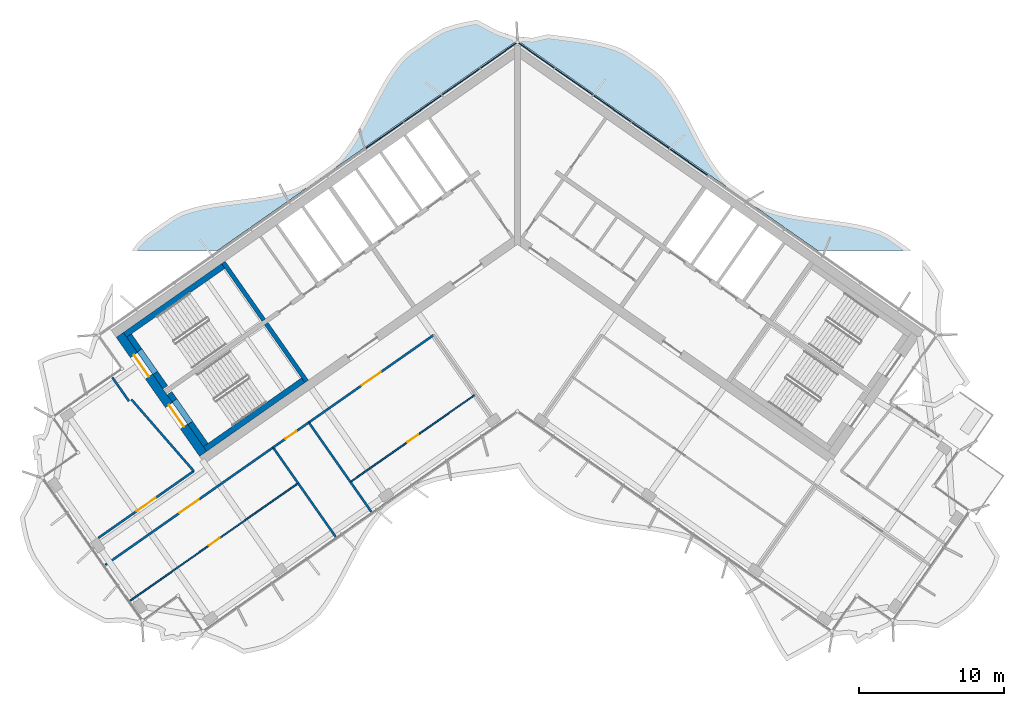
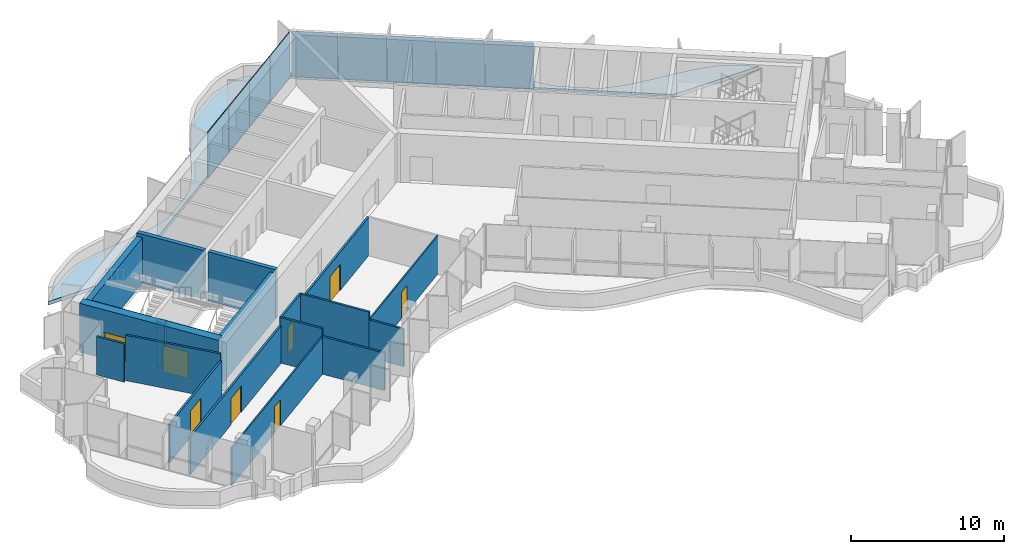
# One storey, part 10 of 20: 23 walls, 9 plates, 8 doors, 1 slab, 8 openings, 1 element without a shape of its own.
"""IFC4 building model written with IfcOpenShell, lengths in metres."""

from ifc_helpers import new_model, si_unit, direction, frame, frame_2d, origin, origin_2d, place, context, subcontext, project, spatial, polyline, rectangle, outline, extrude, material, layer, layer_set, type_object, element, fill, aggregate, save


model = new_model("IFC4")

# Units and contexts
model_context = context("Model", 3, precision=1e-05, world=origin(), true_north=direction((0.0, 1.0)))
body_context = subcontext(model_context, "Body", "Model", "MODEL_VIEW")
ifc_project = project(units=[si_unit("LENGTHUNIT", "METRE"), si_unit("AREAUNIT", "SQUARE_METRE"), si_unit("VOLUMEUNIT", "CUBIC_METRE"), si_unit("PLANEANGLEUNIT", "RADIAN"), si_unit("MASSUNIT", "GRAM", prefix="KILO")], contexts=[model_context])

# Site, building, storey
site_placement = place(None, origin())
site = spatial("IfcSite", under=ifc_project, at=site_placement, CompositionType="ELEMENT")
building_placement = place(site_placement, origin())
building = spatial("IfcBuilding", under=site, at=building_placement, Name="Tel Ilan Convention Tower", CompositionType="ELEMENT")
storey_placement = place(building_placement, frame((0.0, 0.0, 248.800048828125)))
storey = spatial("IfcBuildingStorey", under=building, at=storey_placement, Name="L58", CompositionType="ELEMENT", Elevation=248.800048828125)

# Curtain wall, plates
ifc_material_1 = material(Name="Aluminium, bronze anodised", Category="aluminium")
curtain_wall_type = type_object("IfcCurtainWallType", Name="CW2 STICK CURTAIN WALL, SPANDREL PANELS", PredefinedType="NOTDEFINED", material=ifc_material_1)
curtain_wall_placement = place(storey_placement, origin())
curtain_wall = element("IfcCurtainWall", 1, at=curtain_wall_placement, inside=storey, type_object=curtain_wall_type, Name="Curtain wall CW2-45.02", PredefinedType="NOTDEFINED")
ifc_material_2 = material(Name="Aluminium composite panel, bronze anodised", Category="aluminium")
ifc_layer_1 = layer(ifc_material_2, 0.06005859375)
ifc_layer_set_1 = layer_set([ifc_layer_1], Name="CW SPANDREL PANEL 60")
plate_type = type_object("IfcPlateType", Name="CW SPANDREL PANEL 60", PredefinedType="CURTAIN_PANEL", material=ifc_layer_set_1)
plate_1_placement = place(storey_placement, frame((11.789306640625, 4.44091796875, 0.0), z_axis=(0.0, 0.0, 1.0), x_axis=(-0.819152044289, 0.573576436351, 0.0)))
plate_1 = element("IfcPlate", 2, at=plate_1_placement, type_object=plate_type, Name="Spandrel panel", PredefinedType="CURTAIN_PANEL", context=body_context, shape_type="SweptSolid", body=[
    extrude(rectangle(XDim=3.15380859375, YDim=0.06005859375, at=origin_2d()), origin(), (0.0, 0.0, 1.0), 3.6201171875),
])
plate_2_placement = place(storey_placement, frame((9.15673828125, 6.284423828125, 0.0), z_axis=(0.0, 0.0, 1.0), x_axis=(-0.819152044289, 0.573576436351, 0.0)))
plate_2 = element("IfcPlate", 3, at=plate_2_placement, type_object=plate_type, Name="Spandrel panel", PredefinedType="CURTAIN_PANEL", context=body_context, shape_type="SweptSolid", body=[
    extrude(rectangle(XDim=3.15380859375, YDim=0.06005859375, at=origin_2d()), origin(), (0.0, 0.0, 1.0), 3.6201171875),
])
plate_3_placement = place(storey_placement, frame((6.524169921875, 8.127685546875, 0.0), z_axis=(0.0, 0.0, 1.0), x_axis=(-0.819152044289, 0.573576436351, 0.0)))
plate_3 = element("IfcPlate", 4, at=plate_3_placement, type_object=plate_type, Name="Spandrel panel", PredefinedType="CURTAIN_PANEL", context=body_context, shape_type="SweptSolid", body=[
    extrude(rectangle(XDim=3.15380859375, YDim=0.06005859375, at=origin_2d()), origin(), (0.0, 0.0, 1.0), 3.6201171875),
])
plate_4_placement = place(storey_placement, frame((3.8916015625, 9.97119140625, 0.0), z_axis=(0.0, 0.0, 1.0), x_axis=(-0.819152044289, 0.573576436351, 0.0)))
plate_4 = element("IfcPlate", 5, at=plate_4_placement, type_object=plate_type, Name="Spandrel panel", PredefinedType="CURTAIN_PANEL", context=body_context, shape_type="SweptSolid", body=[
    extrude(rectangle(XDim=3.15380859375, YDim=0.06005859375, at=origin_2d()), origin(), (0.0, 0.0, 1.0), 3.6201171875),
])
plate_5_placement = place(storey_placement, frame((1.303955078125, 11.782958984375, 0.0), z_axis=(0.0, 0.0, 1.0), x_axis=(-0.819152044289, 0.573576436351, 0.0)))
plate_5 = element("IfcPlate", 6, at=plate_5_placement, type_object=plate_type, Name="Spandrel panel", PredefinedType="CURTAIN_PANEL", context=body_context, shape_type="SweptSolid", body=[
    extrude(rectangle(XDim=3.0439453125, YDim=0.06005859375, at=origin_2d()), origin(), (0.0, 0.0, 1.0), 3.6201171875),
])
plate_6_placement = place(storey_placement, frame((-1.303955078125, 11.782958984375, 0.0), z_axis=(0.0, 0.0, 1.0), x_axis=(-0.819152044289, -0.573576436351, 0.0)))
plate_6 = element("IfcPlate", 7, at=plate_6_placement, type_object=plate_type, Name="Spandrel panel", PredefinedType="CURTAIN_PANEL", context=body_context, shape_type="SweptSolid", body=[
    extrude(rectangle(XDim=3.0439453125, YDim=0.06005859375, at=origin_2d()), origin(), (0.0, 0.0, 1.0), 3.6201171875),
])
plate_7_placement = place(storey_placement, frame((-3.8916015625, 9.97119140625, 0.0), z_axis=(0.0, 0.0, 1.0), x_axis=(-0.819152044289, -0.573576436351, 0.0)))
plate_7 = element("IfcPlate", 8, at=plate_7_placement, type_object=plate_type, Name="Spandrel panel", PredefinedType="CURTAIN_PANEL", context=body_context, shape_type="SweptSolid", body=[
    extrude(rectangle(XDim=3.15380859375, YDim=0.06005859375, at=origin_2d()), origin(), (0.0, 0.0, 1.0), 3.6201171875),
])
plate_8_placement = place(storey_placement, frame((-6.524169921875, 8.127685546875, 0.0), z_axis=(0.0, 0.0, 1.0), x_axis=(-0.819152044289, -0.573576436351, 0.0)))
plate_8 = element("IfcPlate", 9, at=plate_8_placement, type_object=plate_type, Name="Spandrel panel", PredefinedType="CURTAIN_PANEL", context=body_context, shape_type="SweptSolid", body=[
    extrude(rectangle(XDim=3.15380859375, YDim=0.06005859375, at=origin_2d()), origin(), (0.0, 0.0, 1.0), 3.6201171875),
])
plate_9_placement = place(storey_placement, frame((-9.15673828125, 6.284423828125, 0.0), z_axis=(0.0, 0.0, 1.0), x_axis=(-0.819152044289, -0.573576436351, 0.0)))
plate_9 = element("IfcPlate", 10, at=plate_9_placement, type_object=plate_type, Name="Spandrel panel", PredefinedType="CURTAIN_PANEL", context=body_context, shape_type="SweptSolid", body=[
    extrude(rectangle(XDim=3.15380859375, YDim=0.06005859375, at=origin_2d()), origin(), (0.0, 0.0, 1.0), 3.6201171875),
])
aggregate(curtain_wall, [plate_1, plate_2, plate_3, plate_4, plate_5, plate_6, plate_7, plate_8, plate_9])

# Slab
ifc_material_3 = material(Name="Concrete C40/50", Category="concrete")
ifc_layer_2 = layer(ifc_material_3, 0.280029296875)
ifc_layer_set_2 = layer_set([ifc_layer_2], Name="Edge Ledge Slab 280 mm C40/50")
slab_type = type_object("IfcSlabType", Name="Edge Ledge Slab 280 mm C40/50", PredefinedType="FLOOR", material=ifc_layer_set_2)
slab_placement = place(storey_placement, frame((0.0, 0.0, -0.280029296875)))
element("IfcSlab", 11, at=slab_placement, inside=storey, type_object=slab_type, Name="L58 edge ledge 2", PredefinedType="FLOOR", context=body_context, shape_type="SweptSolid", body=[
    extrude(outline(polyline([(-20.91259765625, 1.594482421875), (-20.099365234375, 1.71728515625), (-19.275146484375, 1.824462890625), (-18.44970703125, 1.9296875), (-17.6328125, 2.047119140625), (-16.833984375, 2.18994140625), (-16.0615234375, 2.37109375), (-15.3232421875, 2.6005859375), (-14.651611328125, 2.92529296875), (-12.841552734375, 4.192626953125), (-12.284912109375, 4.681640625), (-11.809326171875, 5.28662109375), (-11.369140625, 5.94189453125), (-10.956787109375, 6.63720703125), (-10.564453125, 7.36083984375), (-10.182373046875, 8.09912109375), (-9.80078125, 8.83837890625), (-9.410400390625, 9.564697265625), (-9.001220703125, 10.264404296875), (-8.56494140625, 10.925537109375), (-8.094482421875, 11.53759765625), (-7.552001953125, 12.047119140625), (-5.7421875, 13.314208984375), (-5.0849609375, 13.66015625), (-4.3515625, 13.896484375), (-3.5830078125, 14.083251953125), (-2.785888671875, 14.228515625), (-1.357666015625, 13.472900390625), (-0.172119140625, 13.06396484375), (-0.168701171875, 13.05908203125), (-0.11474609375, 13.09521484375), (0.0, 13.1181640625), (0.11474609375, 13.09521484375), (0.168701171875, 13.05908203125), (0.172119140625, 13.06396484375), (1.02001953125, 12.99072265625), (2.08935546875, 13.234130859375), (2.913818359375, 13.12744140625), (3.739501953125, 13.0224609375), (4.55712890625, 12.90625), (5.357666015625, 12.765380859375), (6.132080078125, 12.587158203125), (6.872802734375, 12.361083984375), (7.552001953125, 12.047119140625), (9.36181640625, 10.77978515625), (9.925537109375, 10.300537109375), (10.403564453125, 9.69921875), (10.845947265625, 9.046875), (11.259521484375, 8.353515625), (11.653076171875, 7.631591796875), (12.035400390625, 6.893798828125), (12.416748046875, 6.154052734375), (12.806396484375, 5.426513671875), (13.214111328125, 4.724609375), (13.648193359375, 4.060791015625), (14.116455078125, 3.4453125), (14.651611328125, 2.92529296875), (16.46142578125, 1.657958984375), (17.111328125, 1.30224609375), (17.84228515625, 1.062255859375), (18.60888671875, 0.87255859375), (19.4033203125, 0.72314453125), (20.21728515625, 0.601806640625), (21.0419921875, 0.495361328125), (21.8671875, 0.3896484375), (22.68310546875, 0.27099609375), (23.480712890625, 0.1259765625), (24.2509765625, -0.057861328125), (24.987060546875, -0.290771484375), (25.6513671875, -0.626220703125), (27.087158203125, -1.631591796875), (20.63623046875, -1.631591796875), (0.0, 12.818115234375), (-20.63623046875, -1.631591796875), (-26.535888671875, -1.631591796875), (-26.1787109375, -1.156982421875), (-25.6513671875, -0.626220703125), (-23.84130859375, 0.64111328125), (-23.1982421875, 1.006591796875), (-22.4697265625, 1.250244140625), (-21.705322265625, 1.44287109375), (-20.91259765625, 1.594482421875)])), origin(), (0.0, 0.0, 1.0), 0.280029296875),
])

# Walls
ifc_material_4 = material(Name="Concrete C40/50", Category="concrete")
ifc_layer_3 = layer(ifc_material_4, 0.300048828125)
ifc_layer_set_3 = layer_set([ifc_layer_3], Name="Core Shear Wall 300 mm C40/50")
wall_type_1 = type_object("IfcWallType", Name="Core Shear Wall 300 mm C40/50", PredefinedType="SHEAR", material=ifc_layer_set_3)
wall_1_placement = place(storey_placement, frame((-14.515380859375, -10.652099609375, 0.0), z_axis=(0.0, 0.0, 1.0), x_axis=(-0.573560315113, 0.819163332265, 0.0)))
element("IfcWall", 12, at=wall_1_placement, inside=storey, type_object=wall_type_1, Name="L58 core wall W-cross2-1", PredefinedType="SHEAR", context=body_context, shape_type="SweptSolid", body=[
    extrude(outline(polyline([(4.85009765625, 0.14990234375), (0.0, 0.14990234375), (0.0, -0.150146484375), (4.85009765625, -0.14990234375), (4.85009765625, 0.14990234375)])), origin(), (0.0, 0.0, 1.0), 3.89990234375),
])
wall_2_placement = place(storey_placement, frame((-17.46923828125, -6.433349609375, 0.0), z_axis=(0.0, 0.0, 1.0), x_axis=(-0.573594092424, 0.81913968109, 0.0)))
element("IfcWall", 13, at=wall_2_placement, inside=storey, type_object=wall_type_1, Name="L58 core wall W-cross2-2", PredefinedType="SHEAR", context=body_context, shape_type="SweptSolid", body=[
    extrude(outline(polyline([(4.849853515625, -0.150146484375), (4.849853515625, 0.14990234375), (0.0, 0.14990234375), (0.0, -0.14990234375), (4.849853515625, -0.150146484375)])), origin(), (0.0, 0.0, 1.0), 3.89990234375),
])

# Wall, openings, doors
ifc_material_5 = material(Name="Concrete C40/50", Category="concrete")
ifc_layer_4 = layer(ifc_material_5, 0.60009765625)
ifc_layer_set_4 = layer_set([ifc_layer_4], Name="Core Shear Wall 600 mm C40/50")
wall_type_2 = type_object("IfcWallType", Name="Core Shear Wall 600 mm C40/50", PredefinedType="SHEAR", material=ifc_layer_set_4)
wall_3_placement = place(storey_placement, frame((-21.641845703125, -15.64208984375, 0.0), z_axis=(0.0, 0.0, 1.0), x_axis=(-0.573586866468, 0.819144740944, 0.0)))
wall_3 = element("IfcWall", 14, at=wall_3_placement, inside=storey, type_object=wall_type_2, Name="L58 core wall W-end", PredefinedType="SHEAR", context=body_context, shape_type="SweptSolid", body=[
    extrude(outline(polyline([(0.0, 0.300048828125), (0.0, -0.2998046875), (10.0, -0.300048828125), (10.0, 0.300048828125), (0.0, 0.300048828125)])), origin(), (0.0, 0.0, 1.0), 3.89990234375),
])
opening_1_placement = place(wall_3_placement, frame((6.5, 0.0, 0.0)))
opening_1 = element("IfcOpeningElement", 15, at=opening_1_placement, cuts=wall_3, Name="Opening SD4501", PredefinedType="OPENING", context=body_context, shape_type="SweptSolid", body=[
    extrude(rectangle(XDim=1.800048828125, YDim=2.10009765625, at=frame_2d((0.89990234375, 1.050048828125))), frame((0.0, 0.31005859375, 0.0), z_axis=(0.0, -1.0, 0.0), x_axis=(1.0, 0.0, 0.0)), (0.0, 0.0, 1.0), 0.6201171875),
])
opening_2_placement = place(wall_3_placement, frame((2.300048828125, 0.0, 0.0)))
opening_2 = element("IfcOpeningElement", 16, at=opening_2_placement, cuts=wall_3, Name="Opening SD4502", PredefinedType="OPENING", context=body_context, shape_type="SweptSolid", body=[
    extrude(rectangle(XDim=1.800048828125, YDim=2.10009765625, at=frame_2d((0.89990234375, 1.050048828125))), frame((0.0, 0.31005859375, 0.0), z_axis=(0.0, -1.0, 0.0), x_axis=(1.0, 0.0, 0.0)), (0.0, 0.0, 1.0), 0.6201171875),
])
ifc_material_6 = material(Name="Galvanised Steel Door Leaf", Category="steel")
door_type_1 = type_object("IfcDoorType", Name="Stair Fire Door 1800 x 2100 FD60S", OperationType="NOTDEFINED", PredefinedType="DOOR", material=ifc_material_6)
door_1_placement = place(opening_1_placement, origin())
door_1 = element("IfcDoor", 17, at=door_1_placement, inside=storey, type_object=door_type_1, Name="Stair S1 door", OperationType="DOUBLE_DOOR_SINGLE_SWING", OverallHeight=2.10009765625, OverallWidth=1.800048828125, PredefinedType="DOOR", context=body_context, shape_type="SweptSolid", body=[
    extrude(rectangle(XDim=1.800048828125, YDim=2.10009765625, at=frame_2d((0.89990234375, 1.050048828125))), frame((0.0, 0.02490234375, 0.0), z_axis=(0.0, -1.0, 0.0), x_axis=(1.0, 0.0, 0.0)), (0.0, 0.0, 1.0), 0.050048828125),
])
fill(opening_1, door_1)
door_2_placement = place(opening_2_placement, origin())
door_2 = element("IfcDoor", 18, at=door_2_placement, inside=storey, type_object=door_type_1, Name="Stair S2 door", OperationType="DOUBLE_DOOR_SINGLE_SWING", OverallHeight=2.10009765625, OverallWidth=1.800048828125, PredefinedType="DOOR", context=body_context, shape_type="SweptSolid", body=[
    extrude(rectangle(XDim=1.800048828125, YDim=2.10009765625, at=frame_2d((0.89990234375, 1.050048828125))), frame((0.0, 0.02490234375, 0.0), z_axis=(0.0, -1.0, 0.0), x_axis=(1.0, 0.0, 0.0)), (0.0, 0.0, 1.0), 0.050048828125),
])
fill(opening_2, door_2)

# Wall, opening, door
ifc_material_7 = material(Name="Plasterboard on Steel Studs", Category="steel")
ifc_layer_5 = layer(ifc_material_7, 0.14990234375)
ifc_layer_set_5 = layer_set([ifc_layer_5], Name="Fire-rated Partition 150 EI 60")
wall_type_3 = type_object("IfcWallType", Name="Fire-rated Partition 150 EI 60", PredefinedType="PARTITIONING", material=ifc_layer_set_5)
wall_4_placement = place(storey_placement, frame((-28.858154296875, -21.428466796875, 0.0), z_axis=(0.0, 0.0, 1.0), x_axis=(0.819137602434, 0.573597060905, 0.0)))
wall_4 = element("IfcWall", 19, at=wall_4_placement, inside=storey, type_object=wall_type_3, Name="Partition 005", PredefinedType="PARTITIONING", context=body_context, shape_type="SweptSolid", body=[
    extrude(rectangle(XDim=8.02685546875, YDim=0.14990234375, at=frame_2d((4.013427734375, 0.0))), origin(), (0.0, 0.0, 1.0), 3.050048828125),
])
opening_3_placement = place(wall_4_placement, frame((3.21337890625, 0.0, 0.0)))
opening_3 = element("IfcOpeningElement", 20, at=opening_3_placement, cuts=wall_4, Name="Opening L58-006", PredefinedType="OPENING", context=body_context, shape_type="SweptSolid", body=[
    extrude(rectangle(XDim=1.60009765625, YDim=2.10009765625, at=frame_2d((0.800048828125, 1.050048828125))), frame((0.0, 0.0849609375, 0.0), z_axis=(0.0, -1.0, 0.0), x_axis=(1.0, 0.0, 0.0)), (0.0, 0.0, 1.0), 0.169921875),
])
ifc_material_8 = material(Name="Timber Door Leaf in Steel Frame", Category="steel")
door_type_2 = type_object("IfcDoorType", Name="Tenant Suite Entrance Fire Door 1600x2100", OperationType="NOTDEFINED", PredefinedType="DOOR", material=ifc_material_8)
door_3_placement = place(opening_3_placement, origin())
door_3 = element("IfcDoor", 21, at=door_3_placement, inside=storey, type_object=door_type_2, Name="Door L58-006", OperationType="DOUBLE_DOOR_SINGLE_SWING", OverallHeight=2.10009765625, OverallWidth=1.60009765625, PredefinedType="DOOR", context=body_context, shape_type="SweptSolid", body=[
    extrude(rectangle(XDim=1.60009765625, YDim=2.10009765625, at=frame_2d((0.800048828125, 1.050048828125))), frame((0.0, 0.02490234375, 0.0), z_axis=(0.0, -1.0, 0.0), x_axis=(1.0, 0.0, 0.0)), (0.0, 0.0, 1.0), 0.050048828125),
])
fill(opening_3, door_3)

wall_5_placement = place(storey_placement, frame((-5.766357421875, -7.455810546875, 0.0), z_axis=(0.0, 0.0, 1.0), x_axis=(-0.819154371039, -0.573573113393, 0.0)))
wall_5 = element("IfcWall", 22, at=wall_5_placement, inside=storey, type_object=wall_type_3, Name="Partition 006", PredefinedType="PARTITIONING", context=body_context, shape_type="SweptSolid", body=[
    extrude(rectangle(XDim=10.501953125, YDim=0.14990234375, at=frame_2d((5.2509765625, 0.0))), origin(), (0.0, 0.0, 1.0), 3.050048828125),
])
opening_4_placement = place(wall_5_placement, frame((4.450927734375, 0.0, 0.0)))
opening_4 = element("IfcOpeningElement", 23, at=opening_4_placement, cuts=wall_5, Name="Opening L58-001", PredefinedType="OPENING", context=body_context, shape_type="SweptSolid", body=[
    extrude(rectangle(XDim=1.60009765625, YDim=2.10009765625, at=frame_2d((0.800048828125, 1.050048828125))), frame((0.0, 0.0849609375, 0.0), z_axis=(0.0, -1.0, 0.0), x_axis=(1.0, 0.0, 0.0)), (0.0, 0.0, 1.0), 0.169921875),
])
door_4_placement = place(opening_4_placement, origin())
door_4 = element("IfcDoor", 24, at=door_4_placement, inside=storey, type_object=door_type_2, Name="Door L58-001", OperationType="DOUBLE_DOOR_SINGLE_SWING", OverallHeight=2.10009765625, OverallWidth=1.60009765625, PredefinedType="DOOR", context=body_context, shape_type="SweptSolid", body=[
    extrude(rectangle(XDim=1.60009765625, YDim=2.10009765625, at=frame_2d((0.800048828125, 1.050048828125))), frame((0.0, 0.02490234375, 0.0), z_axis=(0.0, -1.0, 0.0), x_axis=(1.0, 0.0, 0.0)), (0.0, 0.0, 1.0), 0.050048828125),
])
fill(opening_4, door_4)

wall_6_placement = place(storey_placement, frame((-14.36572265625, -13.477294921875, 0.0), z_axis=(0.0, 0.0, 1.0), x_axis=(-0.819193738533, -0.573516886193, 0.0)))
wall_6 = element("IfcWall", 25, at=wall_6_placement, inside=storey, type_object=wall_type_3, Name="Partition 007", PredefinedType="PARTITIONING", context=body_context, shape_type="SweptSolid", body=[
    extrude(rectangle(XDim=3.004150390625, YDim=0.14990234375, at=frame_2d((1.501953125, 0.0))), origin(), (0.0, 0.0, 1.0), 3.619873046875),
])
opening_5_placement = place(wall_6_placement, frame((1.052001953125, 0.0, 0.0)))
opening_5 = element("IfcOpeningElement", 26, at=opening_5_placement, cuts=wall_6, Name="Opening L58-003", PredefinedType="OPENING", context=body_context, shape_type="SweptSolid", body=[
    extrude(rectangle(XDim=0.89990234375, YDim=2.10009765625, at=frame_2d((0.449951171875, 1.050048828125))), frame((0.0, 0.0849609375, 0.0), z_axis=(0.0, -1.0, 0.0), x_axis=(1.0, 0.0, 0.0)), (0.0, 0.0, 1.0), 0.169921875),
])
ifc_material_9 = material(Name="Timber Door Leaf in Steel Frame", Category="steel")
door_type_3 = type_object("IfcDoorType", Name="Room Fire Door 900x2100", OperationType="NOTDEFINED", PredefinedType="DOOR", material=ifc_material_9)
door_5_placement = place(opening_5_placement, origin())
door_5 = element("IfcDoor", 27, at=door_5_placement, inside=storey, type_object=door_type_3, Name="Door L58-003", OperationType="SINGLE_SWING_RIGHT", OverallHeight=2.10009765625, OverallWidth=0.89990234375, PredefinedType="DOOR", context=body_context, shape_type="SweptSolid", body=[
    extrude(rectangle(XDim=0.89990234375, YDim=2.10009765625, at=frame_2d((0.449951171875, 1.050048828125))), frame((0.0, 0.02490234375, 0.0), z_axis=(0.0, -1.0, 0.0), x_axis=(1.0, 0.0, 0.0)), (0.0, 0.0, 1.0), 0.050048828125),
])
fill(opening_5, door_5)

wall_7_placement = place(storey_placement, frame((-16.8232421875, -15.197998046875, 0.0), z_axis=(0.0, 0.0, 1.0), x_axis=(-0.819152205979, -0.573576205434, 0.0)))
wall_7 = element("IfcWall", 28, at=wall_7_placement, inside=storey, type_object=wall_type_3, Name="Partition 008", PredefinedType="PARTITIONING", context=body_context, shape_type="SweptSolid", body=[
    extrude(rectangle(XDim=14.10205078125, YDim=0.14990234375, at=frame_2d((7.051025390625, 0.0))), origin(), (0.0, 0.0, 1.0), 3.0),
])
opening_6_placement = place(wall_7_placement, frame((6.2509765625, 0.0, 0.0)))
opening_6 = element("IfcOpeningElement", 29, at=opening_6_placement, cuts=wall_7, Name="Opening L58-004", PredefinedType="OPENING", context=body_context, shape_type="SweptSolid", body=[
    extrude(rectangle(XDim=1.60009765625, YDim=2.10009765625, at=frame_2d((0.800048828125, 1.050048828125))), frame((0.0, 0.0849609375, 0.0), z_axis=(0.0, -1.0, 0.0), x_axis=(1.0, 0.0, 0.0)), (0.0, 0.0, 1.0), 0.169921875),
])
door_6_placement = place(opening_6_placement, origin())
door_6 = element("IfcDoor", 30, at=door_6_placement, inside=storey, type_object=door_type_2, Name="Door L58-004", OperationType="DOUBLE_DOOR_SINGLE_SWING", OverallHeight=2.10009765625, OverallWidth=1.60009765625, PredefinedType="DOOR", context=body_context, shape_type="SweptSolid", body=[
    extrude(rectangle(XDim=1.60009765625, YDim=2.10009765625, at=frame_2d((0.800048828125, 1.050048828125))), frame((0.0, 0.02490234375, 0.0), z_axis=(0.0, -1.0, 0.0), x_axis=(1.0, 0.0, 0.0)), (0.0, 0.0, 1.0), 0.050048828125),
])
fill(opening_6, door_6)

# Walls
wall_8_placement = place(storey_placement, frame((-26.74609375, -12.013671875, 0.0), z_axis=(0.0, 0.0, 1.0), x_axis=(-0.573568836472, 0.819157365729, 0.0)))
element("IfcWall", 31, at=wall_8_placement, inside=storey, type_object=wall_type_3, Name="Partition 018", PredefinedType="PARTITIONING", context=body_context, shape_type="SweptSolid", body=[
    extrude(rectangle(XDim=2.000244140625, YDim=0.14990234375, at=frame_2d((1.0, 0.0))), origin(), (0.0, 0.0, 1.0), 3.050048828125),
])
wall_9_placement = place(storey_placement, frame((-22.28369140625, -16.826416015625, 0.0), z_axis=(0.0, 0.0, 1.0), x_axis=(-0.656758142177, 0.754101281449, 0.0)))
element("IfcWall", 32, at=wall_9_placement, inside=storey, type_object=wall_type_3, Name="Partition 019", PredefinedType="PARTITIONING", context=body_context, shape_type="SweptSolid", body=[
    extrude(rectangle(XDim=6.53857421875, YDim=0.14990234375, at=frame_2d((3.269287109375, 0.0))), origin(), (0.0, 0.0, 1.0), 3.619873046875),
])
wall_10_placement = place(storey_placement, frame((-10.065673828125, -19.6220703125, 0.0), z_axis=(0.0, 0.0, 1.0), x_axis=(-0.573560689761, 0.819163069945, 0.0)))
element("IfcWall", 33, at=wall_10_placement, inside=storey, type_object=wall_type_3, Name="Partition 021", PredefinedType="PARTITIONING", context=body_context, shape_type="SweptSolid", body=[
    extrude(rectangle(XDim=2.4990234375, YDim=0.14990234375, at=frame_2d((1.24951171875, 0.0))), origin(), (0.0, 0.0, 1.0), 3.0),
])
wall_11_placement = place(storey_placement, frame((-11.49951171875, -17.57421875, 0.0), z_axis=(0.0, 0.0, 1.0), x_axis=(-0.573586866468, 0.819144740944, 0.0)))
element("IfcWall", 34, at=wall_11_placement, inside=storey, type_object=wall_type_3, Name="Partition 022", PredefinedType="PARTITIONING", context=body_context, shape_type="SweptSolid", body=[
    extrude(rectangle(XDim=5.0, YDim=0.14990234375, at=frame_2d((2.5, 0.0))), origin(), (0.0, 0.0, 1.0), 3.619873046875),
])
wall_12_placement = place(storey_placement, frame((-12.523193359375, -21.3427734375, 0.0), z_axis=(0.0, 0.0, 1.0), x_axis=(-0.573556991349, 0.819165659482, 0.0)))
element("IfcWall", 35, at=wall_12_placement, inside=storey, type_object=wall_type_3, Name="Partition 023", PredefinedType="PARTITIONING", context=body_context, shape_type="SweptSolid", body=[
    extrude(rectangle(XDim=4.5009765625, YDim=0.14990234375, at=frame_2d((2.25048828125, 0.0))), origin(), (0.0, 0.0, 1.0), 3.0),
])
wall_13_placement = place(storey_placement, frame((-15.10302734375, -17.658203125, 0.0), z_axis=(0.0, 0.0, 1.0), x_axis=(-0.573604249862, 0.819132568355, 0.0)))
element("IfcWall", 36, at=wall_13_placement, inside=storey, type_object=wall_type_3, Name="Partition 024", PredefinedType="PARTITIONING", context=body_context, shape_type="SweptSolid", body=[
    extrude(rectangle(XDim=3.001953125, YDim=0.14990234375, at=frame_2d((1.5009765625, 0.0))), origin(), (0.0, 0.0, 1.0), 3.619873046875),
])

# Wall, opening, door
ifc_material_10 = material(Name="Plasterboard on Steel Studs", Category="steel")
ifc_layer_6 = layer(ifc_material_10, 0.10009765625)
ifc_layer_set_6 = layer_set([ifc_layer_6], Name="Plasterboard Partition 100")
wall_type_4 = type_object("IfcWallType", Name="Plasterboard Partition 100", PredefinedType="PARTITIONING", material=ifc_layer_set_6)
wall_14_placement = place(storey_placement, frame((-2.89794921875, -11.552490234375, 0.0), z_axis=(0.0, 0.0, 1.0), x_axis=(-0.819155448096, -0.573571575181, 0.0)))
wall_14 = element("IfcWall", 37, at=wall_14_placement, inside=storey, type_object=wall_type_4, Name="Partition 020", PredefinedType="PARTITIONING", context=body_context, shape_type="SweptSolid", body=[
    extrude(rectangle(XDim=10.5, YDim=0.10009765625, at=frame_2d((5.25, 0.0))), origin(), (0.0, 0.0, 1.0), 3.050048828125),
])
opening_7_placement = place(wall_14_placement, frame((4.800048828125, 0.0, 0.0)))
opening_7 = element("IfcOpeningElement", 38, at=opening_7_placement, cuts=wall_14, Name="Opening L58-002", PredefinedType="OPENING", context=body_context, shape_type="SweptSolid", body=[
    extrude(rectangle(XDim=0.89990234375, YDim=2.10009765625, at=frame_2d((0.449951171875, 1.050048828125))), frame((0.0, 0.06005859375, 0.0), z_axis=(0.0, -1.0, 0.0), x_axis=(1.0, 0.0, 0.0)), (0.0, 0.0, 1.0), 0.1201171875),
])
ifc_material_11 = material(Name="Timber Door Leaf in Steel Frame", Category="steel")
door_type_4 = type_object("IfcDoorType", Name="Room Timber Door 900x2100", OperationType="NOTDEFINED", PredefinedType="DOOR", material=ifc_material_11)
door_7_placement = place(opening_7_placement, origin())
door_7 = element("IfcDoor", 39, at=door_7_placement, inside=storey, type_object=door_type_4, Name="Door L58-002", OperationType="SINGLE_SWING_LEFT", OverallHeight=2.10009765625, OverallWidth=0.89990234375, PredefinedType="DOOR", context=body_context, shape_type="SweptSolid", body=[
    extrude(rectangle(XDim=0.89990234375, YDim=2.10009765625, at=frame_2d((0.449951171875, 1.050048828125))), frame((0.0, 0.02490234375, 0.0), z_axis=(0.0, -1.0, 0.0), x_axis=(1.0, 0.0, 0.0)), (0.0, 0.0, 1.0), 0.050048828125),
])
fill(opening_7, door_7)

wall_15_placement = place(storey_placement, frame((-15.103515625, -17.657470703125, 0.0), z_axis=(0.0, 0.0, 1.0), x_axis=(-0.81915300772, -0.573575060427, 0.0)))
wall_15 = element("IfcWall", 40, at=wall_15_placement, inside=storey, type_object=wall_type_4, Name="Partition 025", PredefinedType="PARTITIONING", context=body_context, shape_type="SweptSolid", body=[
    extrude(rectangle(XDim=14.10009765625, YDim=0.10009765625, at=frame_2d((7.050048828125, 0.0))), origin(), (0.0, 0.0, 1.0), 3.0),
])
opening_8_placement = place(wall_15_placement, frame((6.60009765625, 0.0, 0.0)))
opening_8 = element("IfcOpeningElement", 41, at=opening_8_placement, cuts=wall_15, Name="Opening L58-005", PredefinedType="OPENING", context=body_context, shape_type="SweptSolid", body=[
    extrude(rectangle(XDim=0.89990234375, YDim=2.10009765625, at=frame_2d((0.449951171875, 1.050048828125))), frame((0.0, 0.06005859375, 0.0), z_axis=(0.0, -1.0, 0.0), x_axis=(1.0, 0.0, 0.0)), (0.0, 0.0, 1.0), 0.1201171875),
])
door_8_placement = place(opening_8_placement, origin())
door_8 = element("IfcDoor", 42, at=door_8_placement, inside=storey, type_object=door_type_4, Name="Door L58-005", OperationType="SINGLE_SWING_RIGHT", OverallHeight=2.10009765625, OverallWidth=0.89990234375, PredefinedType="DOOR", context=body_context, shape_type="SweptSolid", body=[
    extrude(rectangle(XDim=0.89990234375, YDim=2.10009765625, at=frame_2d((0.449951171875, 1.050048828125))), frame((0.0, 0.02490234375, 0.0), z_axis=(0.0, -1.0, 0.0), x_axis=(1.0, 0.0, 0.0)), (0.0, 0.0, 1.0), 0.050048828125),
])
fill(opening_8, door_8)

# Walls
ifc_material_12 = material(Name="Concrete C30/37", Category="concrete")
ifc_layer_7 = layer(ifc_material_12, 0.39990234375)
ifc_layer_set_7 = layer_set([ifc_layer_7], Name="Stair and Shaft Lining Wall 400 mm C30/37")
wall_type_5 = type_object("IfcWallType", Name="Stair and Shaft Lining Wall 400 mm C30/37", PredefinedType="SOLIDWALL", material=ifc_layer_set_7)
wall_16_placement = place(storey_placement, frame((-20.25927734375, -2.71044921875, 0.0), z_axis=(0.0, 0.0, 1.0), x_axis=(-0.81914849389, -0.573581506813, 0.0)))
element("IfcWall", 43, at=wall_16_placement, inside=storey, type_object=wall_type_5, Name="L58 core wall lining-S1-t1", PredefinedType="SOLIDWALL", context=body_context, shape_type="SweptSolid", body=[
    extrude(rectangle(XDim=8.249755859375, YDim=0.39990234375, at=frame_2d((4.125, 0.0))), origin(), (0.0, 0.0, 1.0), 3.619873046875),
])
wall_17_placement = place(storey_placement, frame((-24.24365234375, -11.0546875, 0.0), z_axis=(0.0, 0.0, 1.0), x_axis=(-0.573571582932, 0.819155442668, 0.0)))
element("IfcWall", 44, at=wall_17_placement, inside=storey, type_object=wall_type_5, Name="L58 core wall lining-S1-u1-0", PredefinedType="SOLIDWALL", context=body_context, shape_type="SweptSolid", body=[
    extrude(rectangle(XDim=1.199951171875, YDim=0.39990234375, at=frame_2d((0.60009765625, 0.0))), origin(), (0.0, 0.0, 1.0), 3.619873046875),
])
wall_18_placement = place(storey_placement, frame((-26.021728515625, -8.515380859375, 0.0), z_axis=(0.0, 0.0, 1.0), x_axis=(-0.573619628835, 0.819121798889, 0.0)))
element("IfcWall", 45, at=wall_18_placement, inside=storey, type_object=wall_type_5, Name="L58 core wall lining-S1-u1-1", PredefinedType="SOLIDWALL", context=body_context, shape_type="SweptSolid", body=[
    extrude(rectangle(XDim=1.25, YDim=0.39990234375, at=frame_2d((0.625, 0.0))), origin(), (0.0, 0.0, 1.0), 3.619873046875),
])
wall_19_placement = place(storey_placement, frame((-24.931884765625, -10.07177734375, 2.14990234375), z_axis=(0.0, 0.0, 1.0), x_axis=(-0.573591692345, 0.819141361715, 0.0)))
element("IfcWall", 46, at=wall_19_placement, inside=storey, type_object=wall_type_5, Name="L58 core wall lining-S1-u1-lintel", PredefinedType="SOLIDWALL", context=body_context, shape_type="SweptSolid", body=[
    extrude(rectangle(XDim=1.900146484375, YDim=0.39990234375, at=frame_2d((0.9501953125, 0.0))), origin(), (0.0, 0.0, 1.0), 1.469970703125),
])
wall_20_placement = place(storey_placement, frame((-14.7529296875, -10.57421875, 0.0), z_axis=(0.0, 0.0, 1.0), x_axis=(-0.819158229677, -0.573567602601, 0.0)))
element("IfcWall", 47, at=wall_20_placement, inside=storey, type_object=wall_type_5, Name="L58 core wall lining-S2-t0", PredefinedType="SOLIDWALL", context=body_context, shape_type="SweptSolid", body=[
    extrude(rectangle(XDim=8.25, YDim=0.39990234375, at=frame_2d((4.125, 0.0))), origin(), (0.0, 0.0, 1.0), 3.619873046875),
])
wall_21_placement = place(storey_placement, frame((-21.4619140625, -15.027587890625, 0.0), z_axis=(0.0, 0.0, 1.0), x_axis=(-0.573559770908, 0.819163713305, 0.0)))
element("IfcWall", 48, at=wall_21_placement, inside=storey, type_object=wall_type_5, Name="L58 core wall lining-S2-u1-0", PredefinedType="SOLIDWALL", context=body_context, shape_type="SweptSolid", body=[
    extrude(rectangle(XDim=1.849853515625, YDim=0.39990234375, at=frame_2d((0.9248046875, 0.0))), origin(), (0.0, 0.0, 1.0), 3.619873046875),
])
wall_22_placement = place(storey_placement, frame((-23.61279296875, -11.955810546875, 0.0), z_axis=(0.0, 0.0, 1.0), x_axis=(-0.573435029941, 0.819251039936, 0.0)))
element("IfcWall", 49, at=wall_22_placement, inside=storey, type_object=wall_type_5, Name="L58 core wall lining-S2-u1-1", PredefinedType="SOLIDWALL", context=body_context, shape_type="SweptSolid", body=[
    extrude(rectangle(XDim=0.599853515625, YDim=0.39990234375, at=frame_2d((0.2998046875, 0.0))), origin(), (0.0, 0.0, 1.0), 3.619873046875),
])
wall_23_placement = place(storey_placement, frame((-22.52294921875, -13.51220703125, 2.14990234375), z_axis=(0.0, 0.0, 1.0), x_axis=(-0.573591692345, 0.819141361715, 0.0)))
element("IfcWall", 50, at=wall_23_placement, inside=storey, type_object=wall_type_5, Name="L58 core wall lining-S2-u1-lintel", PredefinedType="SOLIDWALL", context=body_context, shape_type="SweptSolid", body=[
    extrude(rectangle(XDim=1.900146484375, YDim=0.39990234375, at=frame_2d((0.9501953125, 0.0))), origin(), (0.0, 0.0, 1.0), 1.469970703125),
])

save(model, "model.ifc")
